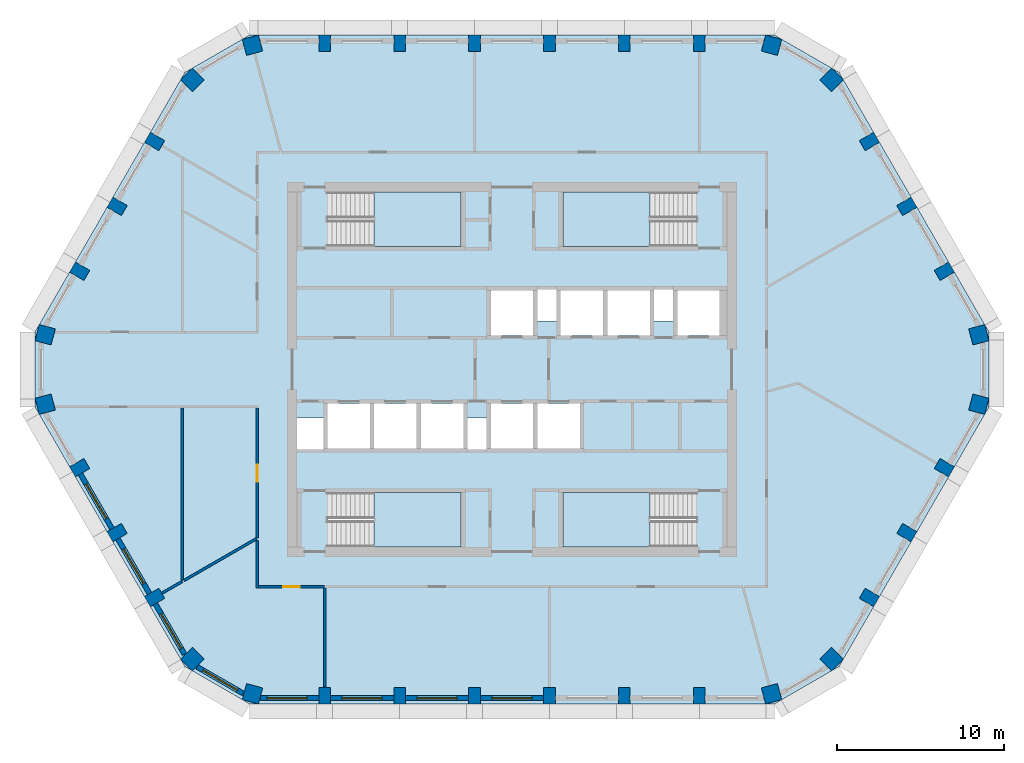
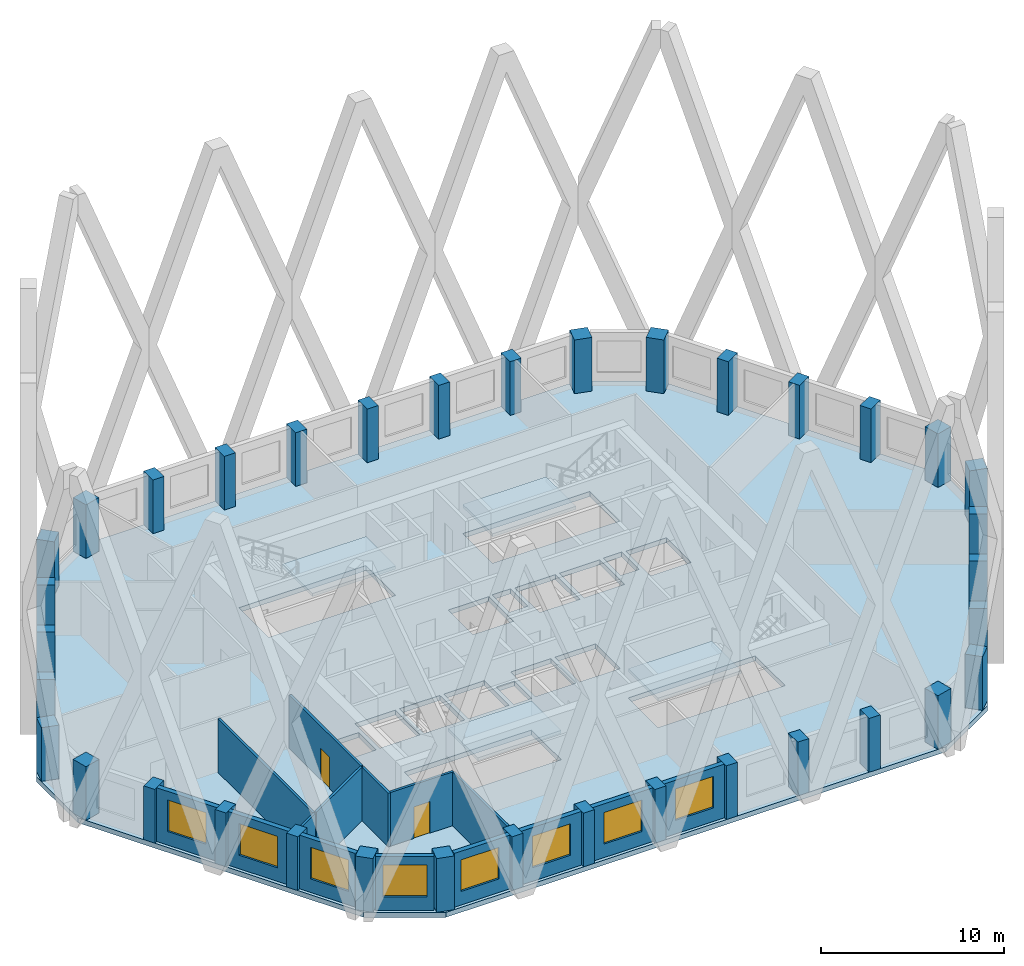
# One storey, part 1 of 13: 36 columns, 15 walls, 8 windows, 5 slabs, 2 doors, 10 openings, 4 elements without a shape of their own.
"""IFC4 building model written with IfcOpenShell, lengths in metres."""

from ifc_helpers import new_model, si_unit, direction, frame, frame_2d, origin, origin_2d, place, context, subcontext, project, spatial, polyline, rectangle, outline, extrude, material, layer, layer_set, material_profile, profile_set, type_object, element, fill, aggregate, save


model = new_model("IFC4")

# Units and contexts
model_context = context("Model", 3, precision=1e-05, world=origin(), true_north=direction((0.0, 1.0)))
body_context = subcontext(model_context, "Body", "Model", "MODEL_VIEW")
ifc_project = project(units=[si_unit("LENGTHUNIT", "METRE"), si_unit("AREAUNIT", "SQUARE_METRE"), si_unit("VOLUMEUNIT", "CUBIC_METRE"), si_unit("PLANEANGLEUNIT", "RADIAN"), si_unit("MASSUNIT", "GRAM", prefix="KILO")], contexts=[model_context])

# Site, building, storey
site_placement = place(None, origin())
site = spatial("IfcSite", under=ifc_project, at=site_placement, CompositionType="ELEMENT")
building_placement = place(site_placement, origin())
building = spatial("IfcBuilding", under=site, at=building_placement, Name="Dhurran Vertical Campus", CompositionType="ELEMENT")
storey_placement = place(building_placement, frame((0.0, 0.0, 258.60009765625)))
storey = spatial("IfcBuildingStorey", under=building, at=storey_placement, Name="L64", CompositionType="ELEMENT", Elevation=258.60009765625)

# Columns
ifc_material_1 = material(Name="Concrete C50/60", Category="concrete")
ifc_material_profile_1 = material_profile(ifc_material_1, rectangle(XDim=1.0, YDim=1.0, at=origin_2d()), Name="RC 1000x1000")
ifc_profile_set_1 = profile_set([ifc_material_profile_1], Name="Concrete C50/60")
column_type_1 = type_object("IfcColumnType", Name="FR COL RC 1000x1000 C50/60", PredefinedType="COLUMN", material=ifc_profile_set_1)
for number, where, z_axis, x_axis, name in (
    (1, (-15.5859375, -19.47607421875, 0.0), (0.0, 0.0, 1.0), (0.965925826289, -0.258819045103, 0.0), "Perimeter pier PP5.00"),
    (2, (15.5859375, -19.47607421875, 0.0), (0.0, 0.0, 1.0), (0.965925826289, 0.258819045103, 0.0), "Perimeter pier PP5.07"),
    (3, (19.19873046875, -17.39013671875, 0.0), (0.0, 0.0, 1.0), (0.707106781187, 0.707106781187, 0.0), "Perimeter pier PP5.08"),
    (4, (28.03466796875, -2.0859375, 0.0), (0.0, 0.0, 1.0), (0.258819045103, 0.965925826289, 0.0), "Perimeter pier PP5.12"),
    (5, (28.03466796875, 2.0859375, 0.0), (0.0, 0.0, 1.0), (-0.258819045103, 0.965925826289, 0.0), "Perimeter pier PP5.13"),
    (6, (19.19873046875, 17.39013671875, 0.0), (0.0, 0.0, 1.0), (-0.707106781187, 0.707106781187, 0.0), "Perimeter pier PP5.17"),
    (7, (15.5859375, 19.47607421875, 0.0), (0.0, 0.0, 1.0), (-0.965925826289, 0.258819045103, 0.0), "Perimeter pier PP5.18"),
    (8, (-15.5859375, 19.47607421875, 0.0), (0.0, 0.0, 1.0), (-0.965925826289, -0.258819045103, 0.0), "Perimeter pier PP5.25"),
    (9, (-19.19873046875, 17.39013671875, 0.0), (0.0, 0.0, 1.0), (-0.707106781187, -0.707106781187, 0.0), "Perimeter pier PP5.26"),
    (10, (-28.03466796875, 2.0859375, 0.0), (0.0, 0.0, 1.0), (-0.258819045103, -0.965925826289, 0.0), "Perimeter pier PP5.30"),
    (11, (-28.03466796875, -2.0859375, 0.0), (0.0, 0.0, 1.0), (0.258819045103, -0.965925826289, 0.0), "Perimeter pier PP5.31"),
    (12, (-19.19873046875, -17.39013671875, 0.0), (0.0, 0.0, 1.0), (0.707106781187, -0.707106781187, 0.0), "Perimeter pier PP5.35"),
):
    element("IfcColumn", number, at=place(storey_placement, frame(where, z_axis=z_axis, x_axis=x_axis)), inside=storey, type_object=column_type_1, Name=name, PredefinedType="COLUMN", context=body_context, shape_type="SweptSolid", body=[
        extrude(rectangle(XDim=1.0, YDim=1.0, at=origin_2d()), origin(), (0.0, 0.0, 1.0), 3.574951171875),
    ])
ifc_material_2 = material(Name="Concrete C50/60", Category="concrete")
ifc_material_profile_2 = material_profile(ifc_material_2, rectangle(XDim=0.699951171875, YDim=1.0, at=origin_2d()), Name="RC 700x1000")
ifc_profile_set_2 = profile_set([ifc_material_profile_2], Name="Concrete C50/60")
column_type_2 = type_object("IfcColumnType", Name="FR COL RC 700x1000 C50/60", PredefinedType="COLUMN", material=ifc_profile_set_2)
for number, where, z_axis, x_axis, name in (
    (13, (-11.25, -19.58837890625, 0.0), (0.0, 0.0, 1.0), (1.0, 0.0, 0.0), "Perimeter pier PP5.01"),
    (14, (-6.75, -19.58837890625, 0.0), (0.0, 0.0, 1.0), (1.0, 0.0, 0.0), "Perimeter pier PP5.02"),
    (15, (-2.25, -19.58837890625, 0.0), (0.0, 0.0, 1.0), (1.0, 0.0, 0.0), "Perimeter pier PP5.03"),
    (16, (2.25, -19.58837890625, 0.0), (0.0, 0.0, 1.0), (1.0, 0.0, 0.0), "Perimeter pier PP5.04"),
    (17, (6.75, -19.58837890625, 0.0), (0.0, 0.0, 1.0), (1.0, 0.0, 0.0), "Perimeter pier PP5.05"),
    (18, (11.25, -19.58837890625, 0.0), (0.0, 0.0, 1.0), (1.0, 0.0, 0.0), "Perimeter pier PP5.06"),
    (19, (21.464111328125, -13.69140625, 0.0), (0.0, 0.0, 1.0), (0.5, 0.866025403784, 0.0), "Perimeter pier PP5.09"),
    (20, (23.714111328125, -9.794189453125, 0.0), (0.0, 0.0, 1.0), (0.5, 0.866025403784, 0.0), "Perimeter pier PP5.10"),
    (21, (25.964111328125, -5.897216796875, 0.0), (0.0, 0.0, 1.0), (0.5, 0.866025403784, 0.0), "Perimeter pier PP5.11"),
    (22, (25.964111328125, 5.897216796875, 0.0), (0.0, 0.0, 1.0), (-0.5, 0.866025403784, 0.0), "Perimeter pier PP5.14"),
    (23, (23.714111328125, 9.794189453125, 0.0), (0.0, 0.0, 1.0), (-0.5, 0.866025403784, 0.0), "Perimeter pier PP5.15"),
    (24, (21.464111328125, 13.69140625, 0.0), (0.0, 0.0, 1.0), (-0.5, 0.866025403784, 0.0), "Perimeter pier PP5.16"),
    (25, (11.25, 19.58837890625, 0.0), (0.0, 0.0, 1.0), (-1.0, 0.0, 0.0), "Perimeter pier PP5.19"),
    (26, (6.75, 19.58837890625, 0.0), (0.0, 0.0, 1.0), (-1.0, 0.0, 0.0), "Perimeter pier PP5.20"),
    (27, (2.25, 19.58837890625, 0.0), (0.0, 0.0, 1.0), (-1.0, 0.0, 0.0), "Perimeter pier PP5.21"),
    (28, (-2.25, 19.58837890625, 0.0), (0.0, 0.0, 1.0), (-1.0, 0.0, 0.0), "Perimeter pier PP5.22"),
    (29, (-6.75, 19.58837890625, 0.0), (0.0, 0.0, 1.0), (-1.0, 0.0, 0.0), "Perimeter pier PP5.23"),
    (30, (-11.25, 19.58837890625, 0.0), (0.0, 0.0, 1.0), (-1.0, 0.0, 0.0), "Perimeter pier PP5.24"),
    (31, (-21.464111328125, 13.69140625, 0.0), (0.0, 0.0, 1.0), (-0.5, -0.866025403784, 0.0), "Perimeter pier PP5.27"),
    (32, (-23.714111328125, 9.794189453125, 0.0), (0.0, 0.0, 1.0), (-0.5, -0.866025403784, 0.0), "Perimeter pier PP5.28"),
    (33, (-25.964111328125, 5.897216796875, 0.0), (0.0, 0.0, 1.0), (-0.5, -0.866025403784, 0.0), "Perimeter pier PP5.29"),
    (34, (-25.964111328125, -5.897216796875, 0.0), (0.0, 0.0, 1.0), (0.5, -0.866025403784, 0.0), "Perimeter pier PP5.32"),
    (35, (-23.714111328125, -9.794189453125, 0.0), (0.0, 0.0, 1.0), (0.5, -0.866025403784, 0.0), "Perimeter pier PP5.33"),
    (36, (-21.464111328125, -13.69140625, 0.0), (0.0, 0.0, 1.0), (0.5, -0.866025403784, 0.0), "Perimeter pier PP5.34"),
):
    element("IfcColumn", number, at=place(storey_placement, frame(where, z_axis=z_axis, x_axis=x_axis)), inside=storey, type_object=column_type_2, Name=name, PredefinedType="COLUMN", context=body_context, shape_type="SweptSolid", body=[
        extrude(rectangle(XDim=0.699951171875, YDim=1.0, at=origin_2d()), origin(), (0.0, 0.0, 1.0), 3.574951171875),
    ])

# Slab
ifc_material_3 = material(Name="Concrete C40/50", Category="concrete")
ifc_layer_1 = layer(ifc_material_3, 0.324951171875)
ifc_layer_set_1 = layer_set([ifc_layer_1], Name="Concrete C40/50")
slab_type_1 = type_object("IfcSlabType", Name="FR POST-TENSIONED FLAT SLAB 325", PredefinedType="FLOOR", material=ifc_layer_set_1)
slab_1_placement = place(storey_placement, frame((0.0, 0.0, -0.3251953125)))
element("IfcSlab", 37, at=slab_1_placement, inside=storey, type_object=slab_type_1, Name="Floor slab L64", PredefinedType="FLOOR", context=body_context, shape_type="SweptSolid", body=[
    extrude(outline(polyline([(-15.75, -20.08837890625), (15.75, -20.08837890625), (19.647216796875, -17.83837890625), (28.647216796875, -2.25), (28.647216796875, 2.25), (19.647216796875, 17.83837890625), (15.75, 20.08837890625), (-15.75, 20.08837890625), (-19.647216796875, 17.83837890625), (-28.647216796875, 2.25), (-28.647216796875, -2.25), (-19.647216796875, -17.83837890625), (-15.75, -20.08837890625)]), holes=[polyline([(-1.27490234375, 2.050048828125), (1.27490234375, 2.050048828125), (1.27490234375, 4.75), (-1.27490234375, 4.75), (-1.27490234375, 2.050048828125)]), polyline([(9.925048828125, 2.050048828125), (12.47509765625, 2.050048828125), (12.47509765625, 4.75), (9.925048828125, 4.75), (9.925048828125, 2.050048828125)]), polyline([(-1.27490234375, -4.75), (1.27490234375, -4.75), (1.27490234375, -2.050048828125), (-1.27490234375, -2.050048828125), (-1.27490234375, -4.75)]), polyline([(1.52490234375, -4.75), (4.074951171875, -4.75), (4.074951171875, -2.050048828125), (1.52490234375, -2.050048828125), (1.52490234375, -4.75)]), polyline([(2.925048828125, 2.050048828125), (5.47509765625, 2.050048828125), (5.47509765625, 4.75), (2.925048828125, 4.75), (2.925048828125, 2.050048828125)]), polyline([(5.72509765625, 2.050048828125), (8.27490234375, 2.050048828125), (8.27490234375, 4.75), (5.72509765625, 4.75), (5.72509765625, 2.050048828125)]), polyline([(-11.074951171875, -4.75), (-8.52490234375, -4.75), (-8.52490234375, -2.050048828125), (-11.074951171875, -2.050048828125), (-11.074951171875, -4.75)]), polyline([(-8.27490234375, -4.75), (-5.72509765625, -4.75), (-5.72509765625, -2.050048828125), (-8.27490234375, -2.050048828125), (-8.27490234375, -4.75)]), polyline([(-5.47509765625, -4.75), (-2.925048828125, -4.75), (-2.925048828125, -2.050048828125), (-5.47509765625, -2.050048828125), (-5.47509765625, -4.75)]), polyline([(-11.050048828125, 7.39990234375), (-3.050048828125, 7.39990234375), (-3.050048828125, 10.64990234375), (-11.050048828125, 10.64990234375), (-11.050048828125, 7.39990234375)]), polyline([(3.050048828125, 7.39990234375), (11.050048828125, 7.39990234375), (11.050048828125, 10.64990234375), (3.050048828125, 10.64990234375), (3.050048828125, 7.39990234375)]), polyline([(-11.050048828125, -10.64990234375), (-3.050048828125, -10.64990234375), (-3.050048828125, -7.39990234375), (-11.050048828125, -7.39990234375), (-11.050048828125, -10.64990234375)]), polyline([(3.050048828125, -10.64990234375), (11.050048828125, -10.64990234375), (11.050048828125, -7.39990234375), (3.050048828125, -7.39990234375), (3.050048828125, -10.64990234375)]), polyline([(2.675048828125, 2.89990234375), (1.52490234375, 2.89990234375), (1.52490234375, 4.800048828125), (2.675048828125, 4.800048828125), (2.675048828125, 2.89990234375)]), polyline([(-12.89990234375, -2.89990234375), (-11.324951171875, -2.89990234375), (-11.324951171875, -4.800048828125), (-12.89990234375, -4.800048828125), (-12.89990234375, -2.89990234375)]), polyline([(-2.675048828125, -2.89990234375), (-1.52490234375, -2.89990234375), (-1.52490234375, -4.800048828125), (-2.675048828125, -4.800048828125), (-2.675048828125, -2.89990234375)]), polyline([(9.675048828125, 2.89990234375), (8.52490234375, 2.89990234375), (8.52490234375, 4.800048828125), (9.675048828125, 4.800048828125), (9.675048828125, 2.89990234375)])]), origin(), (0.0, 0.0, 1.0), 0.3251953125),
])

# Stair, slab
ifc_material_4 = material(Name="Concrete C40/50", Category="concrete")
stair_type = type_object("IfcStairType", Name="co-ST-CORE", PredefinedType="HALF_TURN_STAIR", material=ifc_material_4)
stair_1_placement = place(storey_placement, origin())
stair_1 = element("IfcStair", 38, at=stair_1_placement, inside=storey, type_object=stair_type, Name="L64 Protected exit stair ST1", PredefinedType="HALF_TURN_STAIR")
ifc_material_5 = material(Name="Concrete C40/50", Category="concrete")
ifc_layer_2 = layer(ifc_material_5, 0.199951171875)
ifc_layer_set_2 = layer_set([ifc_layer_2], Name="Concrete C40/50")
slab_type_2 = type_object("IfcSlabType", Name="co-SL-LANDING", PredefinedType="LANDING", material=ifc_layer_set_2)
slab_2_placement = place(storey_placement, frame((0.0, 0.0, 1.75)))
slab_2 = element("IfcSlab", 39, at=slab_2_placement, type_object=slab_type_2, Name="ST1 landing 1", PredefinedType="LANDING", context=body_context, shape_type="SweptSolid", body=[
    extrude(outline(polyline([(-8.300048828125, 7.39990234375), (-3.050048828125, 7.39990234375), (-3.050048828125, 10.64990234375), (-8.300048828125, 10.64990234375), (-8.300048828125, 7.39990234375)])), origin(), (0.0, 0.0, 1.0), 0.199951171875),
])
aggregate(stair_1, [slab_2])

stair_2_placement = place(storey_placement, origin())
stair_2 = element("IfcStair", 40, at=stair_2_placement, inside=storey, type_object=stair_type, Name="L64 Protected exit stair ST2", PredefinedType="HALF_TURN_STAIR")
slab_3_placement = place(storey_placement, frame((0.0, 0.0, 1.75)))
slab_3 = element("IfcSlab", 41, at=slab_3_placement, type_object=slab_type_2, Name="ST2 landing 1", PredefinedType="LANDING", context=body_context, shape_type="SweptSolid", body=[
    extrude(outline(polyline([(8.300048828125, 10.64990234375), (3.050048828125, 10.64990234375), (3.050048828125, 7.39990234375), (8.300048828125, 7.39990234375), (8.300048828125, 10.64990234375)])), origin(), (0.0, 0.0, 1.0), 0.199951171875),
])
aggregate(stair_2, [slab_3])

stair_3_placement = place(storey_placement, origin())
stair_3 = element("IfcStair", 42, at=stair_3_placement, inside=storey, type_object=stair_type, Name="L64 Protected exit stair ST3", PredefinedType="HALF_TURN_STAIR")
slab_4_placement = place(storey_placement, frame((0.0, 0.0, 1.75)))
slab_4 = element("IfcSlab", 43, at=slab_4_placement, type_object=slab_type_2, Name="ST3 landing 1", PredefinedType="LANDING", context=body_context, shape_type="SweptSolid", body=[
    extrude(outline(polyline([(-8.300048828125, -10.64990234375), (-3.050048828125, -10.64990234375), (-3.050048828125, -7.39990234375), (-8.300048828125, -7.39990234375), (-8.300048828125, -10.64990234375)])), origin(), (0.0, 0.0, 1.0), 0.199951171875),
])
aggregate(stair_3, [slab_4])

stair_4_placement = place(storey_placement, origin())
stair_4 = element("IfcStair", 44, at=stair_4_placement, inside=storey, type_object=stair_type, Name="L64 Protected exit stair ST4", PredefinedType="HALF_TURN_STAIR")
slab_5_placement = place(storey_placement, frame((0.0, 0.0, 1.75)))
slab_5 = element("IfcSlab", 45, at=slab_5_placement, type_object=slab_type_2, Name="ST4 landing 1", PredefinedType="LANDING", context=body_context, shape_type="SweptSolid", body=[
    extrude(outline(polyline([(8.300048828125, -7.39990234375), (3.050048828125, -7.39990234375), (3.050048828125, -10.64990234375), (8.300048828125, -10.64990234375), (8.300048828125, -7.39990234375)])), origin(), (0.0, 0.0, 1.0), 0.199951171875),
])
aggregate(stair_4, [slab_5])

# Wall, opening, window
ifc_material_6 = material(Name="Precast concrete C50/60", Category="concrete")
ifc_layer_3 = layer(ifc_material_6, 0.300048828125)
ifc_layer_set_3 = layer_set([ifc_layer_3], Name="Precast concrete C50/60")
wall_type_1 = type_object("IfcWallType", Name="Precast spandrel wall 300", PredefinedType="SOLIDWALL", material=ifc_layer_set_3)
wall_1_placement = place(storey_placement, frame((-15.09814453125, -19.738525390625, 0.0), z_axis=(0.0, 0.0, 1.0), x_axis=(1.0, 0.0, 0.0)))
wall_1 = element("IfcWall", 46, at=wall_1_placement, inside=storey, type_object=wall_type_1, Name="EW1 L64.00", PredefinedType="SOLIDWALL", context=body_context, shape_type="SweptSolid", body=[
    extrude(rectangle(XDim=3.49755859375, YDim=0.300048828125, at=frame_2d((1.748779296875, 0.0))), origin(), (0.0, 0.0, 1.0), 3.574951171875),
])
opening_1_placement = place(wall_1_placement, frame((0.398193359375, 0.0, 0.89990234375)))
opening_1 = element("IfcOpeningElement", 47, at=opening_1_placement, cuts=wall_1, Name="Opening WT1", PredefinedType="OPENING", context=body_context, shape_type="SweptSolid", body=[
    extrude(rectangle(XDim=2.39990234375, YDim=2.10009765625, at=frame_2d((1.199951171875, 1.050048828125))), frame((0.0, 0.159912109375, 0.0), z_axis=(0.0, -1.0, 0.0), x_axis=(1.0, 0.0, 0.0)), (0.0, 0.0, 1.0), 0.320068359375),
])
ifc_material_7 = material(Name="Aluminium frame with solar-control glass", Category="aluminium")
window_type = type_object("IfcWindowType", Name="Punched window 2400 x 2100", PartitioningType="SINGLE_PANEL", PredefinedType="WINDOW", material=ifc_material_7)
window_1_placement = place(opening_1_placement, origin())
window_1 = element("IfcWindow", 48, at=window_1_placement, inside=storey, type_object=window_type, Name="WT1 L64.00", OverallHeight=2.10009765625, OverallWidth=2.39990234375, PartitioningType="SINGLE_PANEL", PredefinedType="WINDOW", context=body_context, shape_type="SweptSolid", body=[
    extrude(rectangle(XDim=2.39990234375, YDim=2.10009765625, at=frame_2d((1.199951171875, 1.050048828125))), frame((0.0, 0.030029296875, 0.0), z_axis=(0.0, -1.0, 0.0), x_axis=(1.0, 0.0, 0.0)), (0.0, 0.0, 1.0), 0.06005859375),
])
fill(opening_1, window_1)

wall_2_placement = place(storey_placement, frame((-10.8994140625, -19.738525390625, 0.0), z_axis=(0.0, 0.0, 1.0), x_axis=(1.0, 0.0, 0.0)))
wall_2 = element("IfcWall", 49, at=wall_2_placement, inside=storey, type_object=wall_type_1, Name="EW1 L64.01", PredefinedType="SOLIDWALL", context=body_context, shape_type="SweptSolid", body=[
    extrude(rectangle(XDim=3.798828125, YDim=0.300048828125, at=frame_2d((1.8994140625, 0.0))), origin(), (0.0, 0.0, 1.0), 3.574951171875),
])
opening_2_placement = place(wall_2_placement, frame((0.699462890625, 0.0, 0.89990234375)))
opening_2 = element("IfcOpeningElement", 50, at=opening_2_placement, cuts=wall_2, Name="Opening WT1", PredefinedType="OPENING", context=body_context, shape_type="SweptSolid", body=[
    extrude(rectangle(XDim=2.39990234375, YDim=2.10009765625, at=frame_2d((1.199951171875, 1.050048828125))), frame((0.0, 0.159912109375, 0.0), z_axis=(0.0, -1.0, 0.0), x_axis=(1.0, 0.0, 0.0)), (0.0, 0.0, 1.0), 0.320068359375),
])
window_2_placement = place(opening_2_placement, origin())
window_2 = element("IfcWindow", 51, at=window_2_placement, inside=storey, type_object=window_type, Name="WT1 L64.01", OverallHeight=2.10009765625, OverallWidth=2.39990234375, PartitioningType="SINGLE_PANEL", PredefinedType="WINDOW", context=body_context, shape_type="SweptSolid", body=[
    extrude(rectangle(XDim=2.39990234375, YDim=2.10009765625, at=frame_2d((1.199951171875, 1.050048828125))), frame((0.0, 0.030029296875, 0.0), z_axis=(0.0, -1.0, 0.0), x_axis=(1.0, 0.0, 0.0)), (0.0, 0.0, 1.0), 0.06005859375),
])
fill(opening_2, window_2)

wall_3_placement = place(storey_placement, frame((-6.3994140625, -19.738525390625, 0.0), z_axis=(0.0, 0.0, 1.0), x_axis=(1.0, 0.0, 0.0)))
wall_3 = element("IfcWall", 52, at=wall_3_placement, inside=storey, type_object=wall_type_1, Name="EW1 L64.02", PredefinedType="SOLIDWALL", context=body_context, shape_type="SweptSolid", body=[
    extrude(rectangle(XDim=3.798828125, YDim=0.300048828125, at=frame_2d((1.8994140625, 0.0))), origin(), (0.0, 0.0, 1.0), 3.574951171875),
])
opening_3_placement = place(wall_3_placement, frame((0.699462890625, 0.0, 0.89990234375)))
opening_3 = element("IfcOpeningElement", 53, at=opening_3_placement, cuts=wall_3, Name="Opening WT1", PredefinedType="OPENING", context=body_context, shape_type="SweptSolid", body=[
    extrude(rectangle(XDim=2.39990234375, YDim=2.10009765625, at=frame_2d((1.199951171875, 1.050048828125))), frame((0.0, 0.159912109375, 0.0), z_axis=(0.0, -1.0, 0.0), x_axis=(1.0, 0.0, 0.0)), (0.0, 0.0, 1.0), 0.320068359375),
])
window_3_placement = place(opening_3_placement, origin())
window_3 = element("IfcWindow", 54, at=window_3_placement, inside=storey, type_object=window_type, Name="WT1 L64.02", OverallHeight=2.10009765625, OverallWidth=2.39990234375, PartitioningType="SINGLE_PANEL", PredefinedType="WINDOW", context=body_context, shape_type="SweptSolid", body=[
    extrude(rectangle(XDim=2.39990234375, YDim=2.10009765625, at=frame_2d((1.199951171875, 1.050048828125))), frame((0.0, 0.030029296875, 0.0), z_axis=(0.0, -1.0, 0.0), x_axis=(1.0, 0.0, 0.0)), (0.0, 0.0, 1.0), 0.06005859375),
])
fill(opening_3, window_3)

wall_4_placement = place(storey_placement, frame((-1.8994140625, -19.738525390625, 0.0), z_axis=(0.0, 0.0, 1.0), x_axis=(1.0, 0.0, 0.0)))
wall_4 = element("IfcWall", 55, at=wall_4_placement, inside=storey, type_object=wall_type_1, Name="EW1 L64.03", PredefinedType="SOLIDWALL", context=body_context, shape_type="SweptSolid", body=[
    extrude(rectangle(XDim=3.798828125, YDim=0.300048828125, at=frame_2d((1.8994140625, 0.0))), origin(), (0.0, 0.0, 1.0), 3.574951171875),
])
opening_4_placement = place(wall_4_placement, frame((0.699462890625, 0.0, 0.89990234375)))
opening_4 = element("IfcOpeningElement", 56, at=opening_4_placement, cuts=wall_4, Name="Opening WT1", PredefinedType="OPENING", context=body_context, shape_type="SweptSolid", body=[
    extrude(rectangle(XDim=2.39990234375, YDim=2.10009765625, at=frame_2d((1.199951171875, 1.050048828125))), frame((0.0, 0.159912109375, 0.0), z_axis=(0.0, -1.0, 0.0), x_axis=(1.0, 0.0, 0.0)), (0.0, 0.0, 1.0), 0.320068359375),
])
window_4_placement = place(opening_4_placement, origin())
window_4 = element("IfcWindow", 57, at=window_4_placement, inside=storey, type_object=window_type, Name="WT1 L64.03", OverallHeight=2.10009765625, OverallWidth=2.39990234375, PartitioningType="SINGLE_PANEL", PredefinedType="WINDOW", context=body_context, shape_type="SweptSolid", body=[
    extrude(rectangle(XDim=2.39990234375, YDim=2.10009765625, at=frame_2d((1.199951171875, 1.050048828125))), frame((0.0, 0.030029296875, 0.0), z_axis=(0.0, -1.0, 0.0), x_axis=(1.0, 0.0, 0.0)), (0.0, 0.0, 1.0), 0.06005859375),
])
fill(opening_4, window_4)

wall_5_placement = place(storey_placement, frame((-25.918701171875, -6.275634765625, 0.0), z_axis=(0.0, 0.0, 1.0), x_axis=(0.499982058975, -0.866035761792, 0.0)))
wall_5 = element("IfcWall", 58, at=wall_5_placement, inside=storey, type_object=wall_type_1, Name="EW1 L64.32", PredefinedType="SOLIDWALL", context=body_context, shape_type="SweptSolid", body=[
    extrude(rectangle(XDim=3.799072265625, YDim=0.300048828125, at=frame_2d((1.8994140625, 0.0))), origin(), (0.0, 0.0, 1.0), 3.574951171875),
])
opening_5_placement = place(wall_5_placement, frame((0.699462890625, 0.0, 0.89990234375)))
opening_5 = element("IfcOpeningElement", 59, at=opening_5_placement, cuts=wall_5, Name="Opening WT1", PredefinedType="OPENING", context=body_context, shape_type="SweptSolid", body=[
    extrude(rectangle(XDim=2.39990234375, YDim=2.10009765625, at=frame_2d((1.199951171875, 1.050048828125))), frame((0.0, 0.159912109375, 0.0), z_axis=(0.0, -1.0, 0.0), x_axis=(1.0, 0.0, 0.0)), (0.0, 0.0, 1.0), 0.320068359375),
])
window_5_placement = place(opening_5_placement, origin())
window_5 = element("IfcWindow", 60, at=window_5_placement, inside=storey, type_object=window_type, Name="WT1 L64.32", OverallHeight=2.10009765625, OverallWidth=2.39990234375, PartitioningType="SINGLE_PANEL", PredefinedType="WINDOW", context=body_context, shape_type="SweptSolid", body=[
    extrude(rectangle(XDim=2.39990234375, YDim=2.10009765625, at=frame_2d((1.199951171875, 1.050048828125))), frame((0.0, 0.030029296875, 0.0), z_axis=(0.0, -1.0, 0.0), x_axis=(1.0, 0.0, 0.0)), (0.0, 0.0, 1.0), 0.06005859375),
])
fill(opening_5, window_5)

wall_6_placement = place(storey_placement, frame((-23.668701171875, -10.1728515625, 0.0), z_axis=(0.0, 0.0, 1.0), x_axis=(0.499982058975, -0.866035761792, 0.0)))
wall_6 = element("IfcWall", 61, at=wall_6_placement, inside=storey, type_object=wall_type_1, Name="EW1 L64.33", PredefinedType="SOLIDWALL", context=body_context, shape_type="SweptSolid", body=[
    extrude(rectangle(XDim=3.799072265625, YDim=0.300048828125, at=frame_2d((1.8994140625, 0.0))), origin(), (0.0, 0.0, 1.0), 3.574951171875),
])
opening_6_placement = place(wall_6_placement, frame((0.699462890625, 0.0, 0.89990234375)))
opening_6 = element("IfcOpeningElement", 62, at=opening_6_placement, cuts=wall_6, Name="Opening WT1", PredefinedType="OPENING", context=body_context, shape_type="SweptSolid", body=[
    extrude(rectangle(XDim=2.39990234375, YDim=2.10009765625, at=frame_2d((1.199951171875, 1.050048828125))), frame((0.0, 0.159912109375, 0.0), z_axis=(0.0, -1.0, 0.0), x_axis=(1.0, 0.0, 0.0)), (0.0, 0.0, 1.0), 0.320068359375),
])
window_6_placement = place(opening_6_placement, origin())
window_6 = element("IfcWindow", 63, at=window_6_placement, inside=storey, type_object=window_type, Name="WT1 L64.33", OverallHeight=2.10009765625, OverallWidth=2.39990234375, PartitioningType="SINGLE_PANEL", PredefinedType="WINDOW", context=body_context, shape_type="SweptSolid", body=[
    extrude(rectangle(XDim=2.39990234375, YDim=2.10009765625, at=frame_2d((1.199951171875, 1.050048828125))), frame((0.0, 0.030029296875, 0.0), z_axis=(0.0, -1.0, 0.0), x_axis=(1.0, 0.0, 0.0)), (0.0, 0.0, 1.0), 0.06005859375),
])
fill(opening_6, window_6)

wall_7_placement = place(storey_placement, frame((-21.418701171875, -14.06982421875, 0.0), z_axis=(0.0, 0.0, 1.0), x_axis=(0.499960102815, -0.866048437209, 0.0)))
wall_7 = element("IfcWall", 64, at=wall_7_placement, inside=storey, type_object=wall_type_1, Name="EW1 L64.34", PredefinedType="SOLIDWALL", context=body_context, shape_type="SweptSolid", body=[
    extrude(rectangle(XDim=3.497802734375, YDim=0.300048828125, at=frame_2d((1.7490234375, 0.0))), origin(), (0.0, 0.0, 1.0), 3.574951171875),
])
opening_7_placement = place(wall_7_placement, frame((0.699462890625, 0.0, 0.89990234375)))
opening_7 = element("IfcOpeningElement", 65, at=opening_7_placement, cuts=wall_7, Name="Opening WT1", PredefinedType="OPENING", context=body_context, shape_type="SweptSolid", body=[
    extrude(rectangle(XDim=2.39990234375, YDim=2.10009765625, at=frame_2d((1.199951171875, 1.050048828125))), frame((0.0, 0.159912109375, 0.0), z_axis=(0.0, -1.0, 0.0), x_axis=(1.0, 0.0, 0.0)), (0.0, 0.0, 1.0), 0.320068359375),
])
window_7_placement = place(opening_7_placement, origin())
window_7 = element("IfcWindow", 66, at=window_7_placement, inside=storey, type_object=window_type, Name="WT1 L64.34", OverallHeight=2.10009765625, OverallWidth=2.39990234375, PartitioningType="SINGLE_PANEL", PredefinedType="WINDOW", context=body_context, shape_type="SweptSolid", body=[
    extrude(rectangle(XDim=2.39990234375, YDim=2.10009765625, at=frame_2d((1.199951171875, 1.050048828125))), frame((0.0, 0.030029296875, 0.0), z_axis=(0.0, -1.0, 0.0), x_axis=(1.0, 0.0, 0.0)), (0.0, 0.0, 1.0), 0.06005859375),
])
fill(opening_7, window_7)

wall_8_placement = place(storey_placement, frame((-18.90771484375, -17.861328125, 0.0), z_axis=(0.0, 0.0, 1.0), x_axis=(0.866025316205, -0.500000151692, 0.0)))
wall_8 = element("IfcWall", 67, at=wall_8_placement, inside=storey, type_object=wall_type_1, Name="EW1 L64.35", PredefinedType="SOLIDWALL", context=body_context, shape_type="SweptSolid", body=[
    extrude(rectangle(XDim=3.1962890625, YDim=0.300048828125, at=frame_2d((1.59814453125, 0.0))), origin(), (0.0, 0.0, 1.0), 3.574951171875),
])
opening_8_placement = place(wall_8_placement, frame((0.398193359375, 0.0, 0.89990234375)))
opening_8 = element("IfcOpeningElement", 68, at=opening_8_placement, cuts=wall_8, Name="Opening WT1", PredefinedType="OPENING", context=body_context, shape_type="SweptSolid", body=[
    extrude(rectangle(XDim=2.39990234375, YDim=2.10009765625, at=frame_2d((1.199951171875, 1.050048828125))), frame((0.0, 0.159912109375, 0.0), z_axis=(0.0, -1.0, 0.0), x_axis=(1.0, 0.0, 0.0)), (0.0, 0.0, 1.0), 0.320068359375),
])
window_8_placement = place(opening_8_placement, origin())
window_8 = element("IfcWindow", 69, at=window_8_placement, inside=storey, type_object=window_type, Name="WT1 L64.35", OverallHeight=2.10009765625, OverallWidth=2.39990234375, PartitioningType="SINGLE_PANEL", PredefinedType="WINDOW", context=body_context, shape_type="SweptSolid", body=[
    extrude(rectangle(XDim=2.39990234375, YDim=2.10009765625, at=frame_2d((1.199951171875, 1.050048828125))), frame((0.0, 0.030029296875, 0.0), z_axis=(0.0, -1.0, 0.0), x_axis=(1.0, 0.0, 0.0)), (0.0, 0.0, 1.0), 0.06005859375),
])
fill(opening_8, window_8)

# Wall
ifc_material_8 = material(Name="Gypsum board corridor wall on steel studs", Category="steel")
ifc_layer_4 = layer(ifc_material_8, 0.14990234375)
ifc_layer_set_4 = layer_set([ifc_layer_4], Name="Gypsum board corridor wall on steel studs")
wall_type_2 = type_object("IfcWallType", Name="fl-CW-150 corridor wall", PredefinedType="PARTITIONING", material=ifc_layer_set_4)
wall_9_placement = place(storey_placement, frame((-15.300048828125, -10.261962890625, 0.0), z_axis=(0.0, 0.0, 1.0), x_axis=(0.0, -1.0, 0.0)))
element("IfcWall", 70, at=wall_9_placement, inside=storey, type_object=wall_type_2, Name="Partition 64-14", PredefinedType="PARTITIONING", context=body_context, shape_type="SweptSolid", body=[
    extrude(rectangle(XDim=2.863037109375, YDim=0.14990234375, at=frame_2d((1.431640625, 0.0))), origin(), (0.0, 0.0, 1.0), 3.574951171875),
])

# Wall, opening, door
wall_10_placement = place(storey_placement, frame((-15.22509765625, -13.050048828125, 0.0), z_axis=(0.0, 0.0, 1.0), x_axis=(1.0, 0.0, 0.0)))
wall_10 = element("IfcWall", 71, at=wall_10_placement, inside=storey, type_object=wall_type_2, Name="Partition 64-15", PredefinedType="PARTITIONING", context=body_context, shape_type="SweptSolid", body=[
    extrude(rectangle(XDim=3.97509765625, YDim=0.14990234375, at=frame_2d((1.987548828125, 0.0))), origin(), (0.0, 0.0, 1.0), 3.574951171875),
])
opening_9_placement = place(wall_10_placement, frame((1.487548828125, 0.0, 0.0)))
opening_9 = element("IfcOpeningElement", 72, at=opening_9_placement, cuts=wall_10, Name="Opening T19.07", PredefinedType="OPENING", context=body_context, shape_type="SweptSolid", body=[
    extrude(rectangle(XDim=1.0, YDim=2.10009765625, at=frame_2d((0.5, 1.050048828125))), frame((0.0, 0.0849609375, 0.0), z_axis=(0.0, -1.0, 0.0), x_axis=(1.0, 0.0, 0.0)), (0.0, 0.0, 1.0), 0.169921875),
])
ifc_material_9 = material(Name="Solid-core timber door set, fire-rated", Category="wood")
door_type = type_object("IfcDoorType", Name="fl-D-1000x2100", OperationType="SINGLE_SWING_LEFT", PredefinedType="DOOR", material=ifc_material_9)
door_1_placement = place(opening_9_placement, origin())
door_1 = element("IfcDoor", 73, at=door_1_placement, inside=storey, type_object=door_type, Name="Door 64.07", OperationType="SINGLE_SWING_RIGHT", OverallHeight=2.10009765625, OverallWidth=1.0, PredefinedType="DOOR", context=body_context, shape_type="SweptSolid", body=[
    extrude(rectangle(XDim=1.0, YDim=2.10009765625, at=frame_2d((0.5, 1.050048828125))), frame((0.0, 0.02490234375, 0.0), z_axis=(0.0, -1.0, 0.0), x_axis=(1.0, 0.0, 0.0)), (0.0, 0.0, 1.0), 0.050048828125),
])
fill(opening_9, door_1)

wall_11_placement = place(storey_placement, frame((-15.300048828125, -2.324951171875, 0.0), z_axis=(0.0, 0.0, 1.0), x_axis=(0.0, -1.0, 0.0)))
wall_11 = element("IfcWall", 74, at=wall_11_placement, inside=storey, type_object=wall_type_2, Name="Partition 64-16", PredefinedType="PARTITIONING", context=body_context, shape_type="SweptSolid", body=[
    extrude(rectangle(XDim=7.80712890625, YDim=0.14990234375, at=frame_2d((3.903564453125, 0.0))), origin(), (0.0, 0.0, 1.0), 3.574951171875),
])
opening_10_placement = place(wall_11_placement, frame((3.403564453125, 0.0, 0.0)))
opening_10 = element("IfcOpeningElement", 75, at=opening_10_placement, cuts=wall_11, Name="Opening T19.04", PredefinedType="OPENING", context=body_context, shape_type="SweptSolid", body=[
    extrude(rectangle(XDim=1.0, YDim=2.10009765625, at=frame_2d((0.5, 1.050048828125))), frame((0.0, 0.0849609375, 0.0), z_axis=(0.0, -1.0, 0.0), x_axis=(1.0, 0.0, 0.0)), (0.0, 0.0, 1.0), 0.169921875),
])
door_2_placement = place(opening_10_placement, origin())
door_2 = element("IfcDoor", 76, at=door_2_placement, inside=storey, type_object=door_type, Name="Door 64.04", OperationType="SINGLE_SWING_RIGHT", OverallHeight=2.10009765625, OverallWidth=1.0, PredefinedType="DOOR", context=body_context, shape_type="SweptSolid", body=[
    extrude(rectangle(XDim=1.0, YDim=2.10009765625, at=frame_2d((0.5, 1.050048828125))), frame((0.0, 0.02490234375, 0.0), z_axis=(0.0, -1.0, 0.0), x_axis=(1.0, 0.0, 0.0)), (0.0, 0.0, 1.0), 0.050048828125),
])
fill(opening_10, door_2)

# Walls
ifc_material_10 = material(Name="Gypsum board partition on steel studs", Category="steel")
ifc_layer_5 = layer(ifc_material_10, 0.14990234375)
ifc_layer_set_5 = layer_set([ifc_layer_5], Name="Gypsum board partition on steel studs")
wall_type_3 = type_object("IfcWallType", Name="fl-PW-150 fixed partition", PredefinedType="PARTITIONING", material=ifc_layer_set_5)
wall_12_placement = place(storey_placement, frame((-19.800048828125, -12.72998046875, 0.0), z_axis=(0.0, 0.0, 1.0), x_axis=(-0.865918715181, -0.500184744569, 0.0)))
element("IfcWall", 77, at=wall_12_placement, inside=storey, type_object=wall_type_3, Name="Partition 64-03", PredefinedType="PARTITIONING", context=body_context, shape_type="SweptSolid", body=[
    extrude(rectangle(XDim=1.40185546875, YDim=0.14990234375, at=frame_2d((0.700927734375, 0.0))), origin(), (0.0, 0.0, 1.0), 3.574951171875),
])
wall_13_placement = place(storey_placement, frame((-19.800048828125, -2.324951171875, 0.0), z_axis=(0.0, 0.0, 1.0), x_axis=(0.0, -1.0, 0.0)))
element("IfcWall", 78, at=wall_13_placement, inside=storey, type_object=wall_type_3, Name="Partition 64-05", PredefinedType="PARTITIONING", context=body_context, shape_type="SweptSolid", body=[
    extrude(rectangle(XDim=10.330078125, YDim=0.14990234375, at=frame_2d((5.1650390625, 0.0))), origin(), (0.0, 0.0, 1.0), 3.574951171875),
])
wall_14_placement = place(storey_placement, frame((-15.364990234375, -10.16943359375, 0.0), z_axis=(0.0, 0.0, 1.0), x_axis=(-0.866025118187, -0.500000494669, 0.0)))
element("IfcWall", 79, at=wall_14_placement, inside=storey, type_object=wall_type_3, Name="Partition 64-06", PredefinedType="PARTITIONING", context=body_context, shape_type="SweptSolid", body=[
    extrude(rectangle(XDim=4.9912109375, YDim=0.14990234375, at=frame_2d((2.49560546875, 0.0))), origin(), (0.0, 0.0, 1.0), 3.574951171875),
])
wall_15_placement = place(storey_placement, frame((-11.25, -13.125, 0.0), z_axis=(0.0, 0.0, 1.0), x_axis=(0.0, -1.0, 0.0)))
element("IfcWall", 80, at=wall_15_placement, inside=storey, type_object=wall_type_3, Name="Partition 64-22", PredefinedType="PARTITIONING", context=body_context, shape_type="SweptSolid", body=[
    extrude(rectangle(XDim=5.943603515625, YDim=0.14990234375, at=frame_2d((2.9716796875, 0.0))), origin(), (0.0, 0.0, 1.0), 3.574951171875),
])

save(model, "model.ifc")
